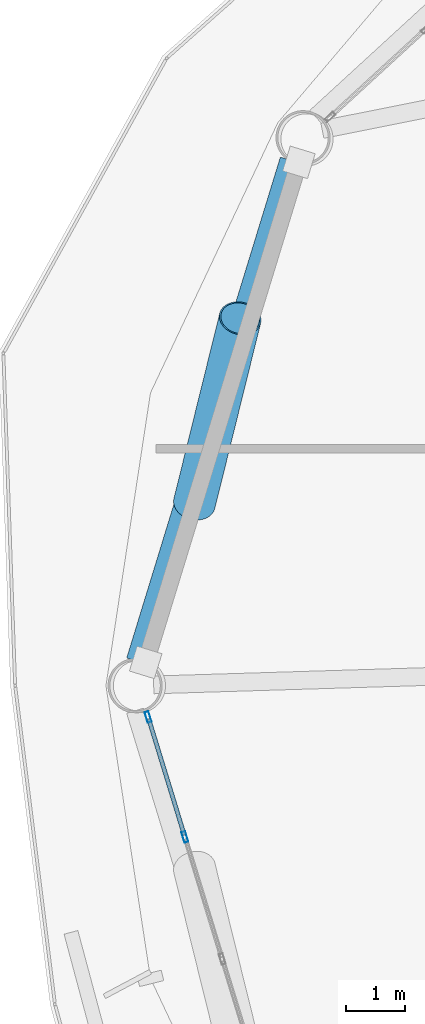
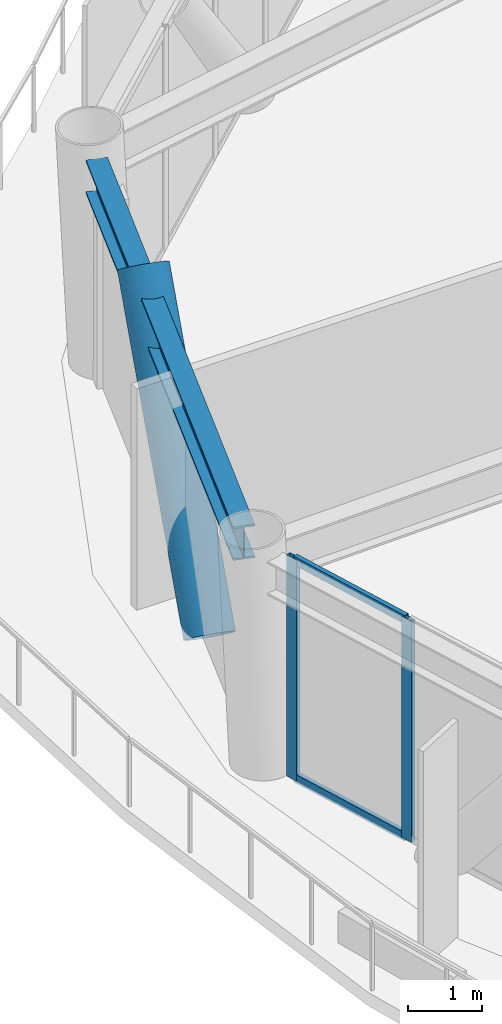
# One storey, part 9 of 23: 5 members, 1 beam, 1 element without a shape of its own.
"""IFC4 building model written with IfcOpenShell, lengths in metres."""

from ifc_helpers import new_model, si_unit, direction, frame, origin, origin_2d, place, context, subcontext, project, spatial, hollow_rectangle, hollow_circle, i_section, extrude, material, layer, layer_set, material_profile, profile_set, type_object, element, aggregate, save


model = new_model("IFC4")

# Units and contexts
model_context = context("Model", 3, precision=1e-05, world=origin(), true_north=direction((0.0, 1.0)))
body_context = subcontext(model_context, "Body", "Model", "MODEL_VIEW")
ifc_project = project(units=[si_unit("LENGTHUNIT", "METRE"), si_unit("AREAUNIT", "SQUARE_METRE"), si_unit("VOLUMEUNIT", "CUBIC_METRE"), si_unit("PLANEANGLEUNIT", "RADIAN"), si_unit("MASSUNIT", "GRAM", prefix="KILO")], contexts=[model_context])

# Site, building, storey
site_placement = place(None, origin())
site = spatial("IfcSite", under=ifc_project, at=site_placement, CompositionType="ELEMENT")
building_placement = place(site_placement, origin())
building = spatial("IfcBuilding", under=site, at=building_placement, Name="Varnakorn Sky Granary", CompositionType="ELEMENT")
storey_placement = place(building_placement, frame((0.0, 0.0, 31.5)))
storey = spatial("IfcBuildingStorey", under=building, at=storey_placement, Name="L07", CompositionType="ELEMENT", Elevation=31.5)

# Beam
ifc_material_1 = material(Name="Steel S355JR", Category="steel")
ifc_material_profile_1 = material_profile(ifc_material_1, i_section(OverallWidth=0.300048828125, OverallDepth=0.550048828125, WebThickness=0.014892578125, FlangeThickness=0.029052734375, at=origin_2d()), Name="HE 550 B")
ifc_profile_set_1 = profile_set([ifc_material_profile_1], Name="Steel S355JR")
beam_type = type_object("IfcBeamType", Name="BM-SPD-Z1", PredefinedType="SPANDREL", material=ifc_profile_set_1)
beam_placement = place(storey_placement, frame((-19.200439453125, 8.88037109375, 3.364990234375), z_axis=(-0.293218881503, -0.956045337591, 0.0), x_axis=(0.956045337591, -0.293218881503, 0.0)))
element("IfcBeam", 1, at=beam_placement, inside=storey, type_object=beam_type, Name="Perimeter Spandrel Ring Beam RB06 L07", PredefinedType="SPANDREL", context=body_context, shape_type="SweptSolid", body=[
    extrude(i_section(OverallWidth=0.300048828125, OverallDepth=0.550048828125, WebThickness=0.014892578125, FlangeThickness=0.029052734375, at=origin_2d()), origin(), (0.0, 0.0, 1.0), 8.8466796875),
])

# Curtain wall, members
ifc_material_2 = material(Name="Anodised Bronze Aluminium Alloy 6063-T6", Category="aluminium")
ifc_layer = layer(ifc_material_2, 0.18994140625, Name="Anodised Bronze Aluminium Alloy 6063-T6")
ifc_layer_set = layer_set([ifc_layer], Name="Anodised Bronze Aluminium Alloy 6063-T6")
curtain_wall_type = type_object("IfcCurtainWallType", Name="CW-FRM-1", PredefinedType="USERDEFINED", material=ifc_layer_set)
curtain_wall_placement = place(storey_placement, origin())
curtain_wall = element("IfcCurtainWall", 2, at=curtain_wall_placement, inside=storey, type_object=curtain_wall_type, Name="Unitised Curtain Wall CW3 CW-L07-B07", ObjectType="CURTAIN WALL", PredefinedType="USERDEFINED")
ifc_material_profile_2 = material_profile(ifc_material_2, hollow_rectangle(XDim=0.070068359375, YDim=0.18505859375, WallThickness=0.00390625, at=origin_2d()), Name="ALU MULL 70x185")
ifc_profile_set_2 = profile_set([ifc_material_profile_2], Name="Anodised Bronze Aluminium Alloy 6063-T6")
member_type_1 = type_object("IfcMemberType", Name="CW-FRM-1-MULL", PredefinedType="MULLION", material=ifc_profile_set_2)
member_1_placement = place(storey_placement, frame((-20.955078125, -2.5546875, 0.0), z_axis=(0.0, 0.0, 1.0), x_axis=(-0.95612623849, -0.292954972771, 0.0)))
member_1 = element("IfcMember", 3, at=member_1_placement, type_object=member_type_1, Name="CW3 mullion 4", PredefinedType="MULLION", context=body_context, shape_type="SweptSolid", body=[
    extrude(hollow_rectangle(XDim=0.070068359375, YDim=0.18505859375, WallThickness=0.00390625, at=origin_2d()), origin(), (0.0, 0.0, 1.0), 3.639892578125),
])
member_2_placement = place(storey_placement, frame((-21.576171875, -0.52783203125, 0.0), z_axis=(0.0, 0.0, 1.0), x_axis=(-0.95612623849, -0.292954972771, 0.0)))
member_2 = element("IfcMember", 4, at=member_2_placement, type_object=member_type_1, Name="CW3 mullion 5", PredefinedType="MULLION", context=body_context, shape_type="SweptSolid", body=[
    extrude(hollow_rectangle(XDim=0.070068359375, YDim=0.18505859375, WallThickness=0.00390625, at=origin_2d()), origin(), (0.0, 0.0, 1.0), 3.639892578125),
])
ifc_material_profile_3 = material_profile(ifc_material_2, hollow_rectangle(XDim=0.070068359375, YDim=0.139892578125, WallThickness=0.00341796875, at=origin_2d()), Name="ALU TRAN 70x140")
ifc_profile_set_3 = profile_set([ifc_material_profile_3], Name="Anodised Bronze Aluminium Alloy 6063-T6")
member_type_2 = type_object("IfcMemberType", Name="CW-FRM-1-TRAN", PredefinedType="USERDEFINED", material=ifc_profile_set_3)
member_3_placement = place(storey_placement, frame((-20.96533203125, -2.521240234375, 0.034912109375), z_axis=(-0.29298093851, 0.956118282259, 0.0), x_axis=(-0.956118282259, -0.29298093851, 0.0)))
member_3 = element("IfcMember", 5, at=member_3_placement, type_object=member_type_2, Name="CW3 transom 4.1", ObjectType="TRANSOM", PredefinedType="USERDEFINED", context=body_context, shape_type="SweptSolid", body=[
    extrude(hollow_rectangle(XDim=0.070068359375, YDim=0.139892578125, WallThickness=0.00341796875, at=origin_2d()), origin(), (0.0, 0.0, 1.0), 2.0498046875),
])
member_4_placement = place(storey_placement, frame((-20.96533203125, -2.521240234375, 3.60498046875), z_axis=(-0.29298093851, 0.956118282259, 0.0), x_axis=(-0.956118282259, -0.29298093851, 0.0)))
member_4 = element("IfcMember", 6, at=member_4_placement, type_object=member_type_2, Name="CW3 transom 4.2", ObjectType="TRANSOM", PredefinedType="USERDEFINED", context=body_context, shape_type="SweptSolid", body=[
    extrude(hollow_rectangle(XDim=0.070068359375, YDim=0.139892578125, WallThickness=0.00341796875, at=origin_2d()), origin(), (0.0, 0.0, 1.0), 2.0498046875),
])
aggregate(curtain_wall, [member_1, member_2, member_3, member_4])

# Member
ifc_material_3 = material(Name="Steel S460M", Category="steel")
ifc_material_profile_4 = material_profile(ifc_material_3, hollow_circle(Radius=0.35546875, WallThickness=0.02490234375, at=origin_2d()), Name="CHS 711x25")
ifc_profile_set_4 = profile_set([ifc_material_profile_4], Name="Steel S460M")
member_type_3 = type_object("IfcMemberType", Name="MB-DIAG-T0", PredefinedType="BRACE", material=ifc_profile_set_4)
member_5_placement = place(storey_placement, frame((-20.795166015625, 3.076904296875, -0.1298828125), z_axis=(0.152431468073, 0.616079188926, 0.772794332609), x_axis=(-0.970728501747, 0.240179466018, 0.0)))
element("IfcMember", 7, at=member_5_placement, inside=storey, type_object=member_type_3, Name="Perimeter CHS Diagrid Brace DG06 L07", PredefinedType="BRACE", context=body_context, shape_type="SweptSolid", body=[
    extrude(hollow_circle(Radius=0.35546875, WallThickness=0.02490234375, at=origin_2d()), origin(), (0.0, 0.0, 1.0), 5.072509765625),
])

save(model, "model.ifc")
